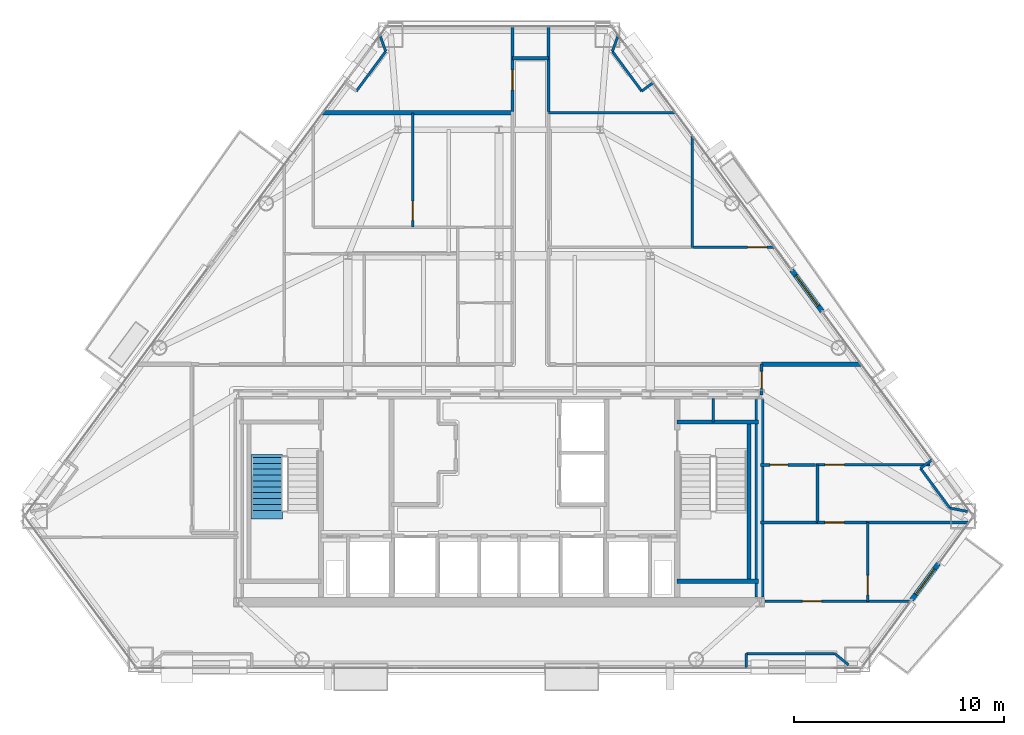
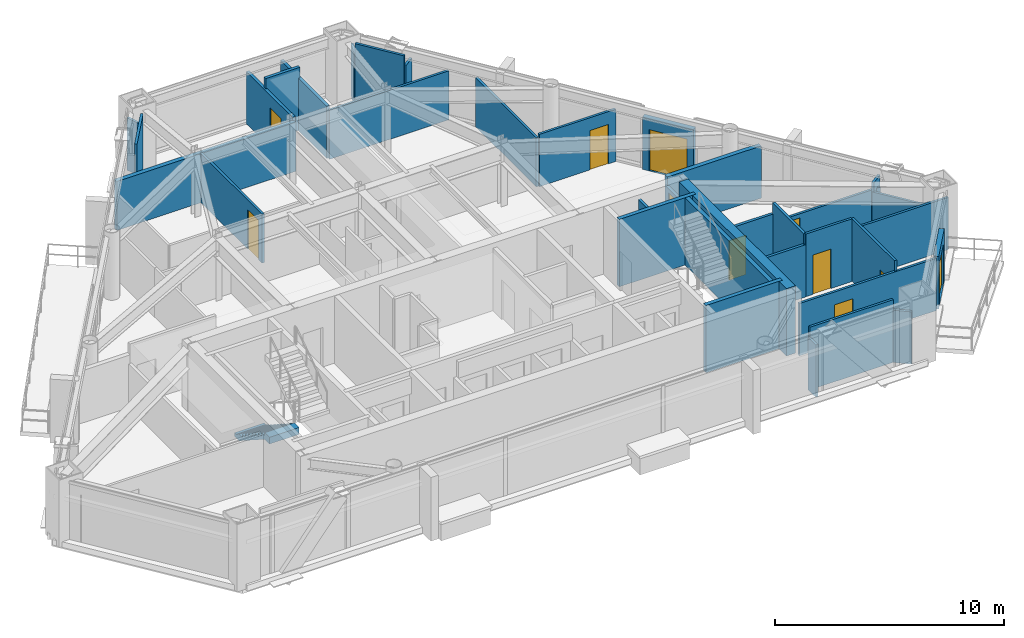
# One storey, part 10 of 13: 36 walls, 11 doors, 1 stair flight, 11 openings, 1 element without a shape of its own.
"""IFC4 building model written with IfcOpenShell, lengths in metres."""

from ifc_helpers import new_model, si_unit, direction, frame, frame_2d, origin, place, context, subcontext, project, spatial, polyline, rectangle, outline, extrude, material, layer, layer_set, type_object, element, fill, aggregate, save


model = new_model("IFC4")

# Units and contexts
model_context = context("Model", 3, precision=1e-05, world=origin(), true_north=direction((0.0, 1.0)))
body_context = subcontext(model_context, "Body", "Model", "MODEL_VIEW")
ifc_project = project(units=[si_unit("LENGTHUNIT", "METRE"), si_unit("AREAUNIT", "SQUARE_METRE"), si_unit("VOLUMEUNIT", "CUBIC_METRE"), si_unit("PLANEANGLEUNIT", "RADIAN"), si_unit("MASSUNIT", "GRAM", prefix="KILO")], contexts=[model_context])

# Site, building, storey
site_placement = place(None, origin())
site = spatial("IfcSite", under=ifc_project, at=site_placement, CompositionType="ELEMENT")
building_placement = place(site_placement, origin())
building = spatial("IfcBuilding", under=site, at=building_placement, Name="Talgorran Terracotta Tower", CompositionType="ELEMENT")
storey_placement = place(building_placement, frame((0.0, 0.0, 132.89990234375)))
storey = spatial("IfcBuildingStorey", under=building, at=storey_placement, Name="L34", CompositionType="ELEMENT", Elevation=132.89990234375)

# Wall, opening, door
ifc_material_1 = material(Name="Concrete C40/50", Category="concrete")
ifc_layer_1 = layer(ifc_material_1, 0.239990234375, Name="WT_BALCONY_SPAND")
ifc_layer_set_1 = layer_set([ifc_layer_1], Name="Concrete C40/50")
wall_type_1 = type_object("IfcWallType", Name="WT_BALCONY_SPAND", PredefinedType="STANDARD", material=ifc_layer_set_1)
wall_1_placement = place(storey_placement, frame((15.38427734375, -0.24560546875, -0.014892578125), z_axis=(0.0, 0.0, 1.0), x_axis=(-0.594317914364, 0.804230201289, 0.0)))
wall_1 = element("IfcWall", 1, at=wall_1_placement, inside=storey, type_object=wall_type_1, Name="WL-L34-BALP-BAL-NE", PredefinedType="STANDARD", context=body_context, shape_type="SweptSolid", body=[
    extrude(rectangle(XDim=2.440185546875, YDim=0.239990234375, at=frame_2d((1.22021484375, 0.0))), origin(), (0.0, 0.0, 1.0), 2.806884765625),
])
opening_1_placement = place(wall_1_placement, frame((0.320068359375, 0.0, 0.014892578125)))
opening_1 = element("IfcOpeningElement", 2, at=opening_1_placement, cuts=wall_1, Name="Opening D-BAL-L34-1", PredefinedType="OPENING", context=body_context, shape_type="SweptSolid", body=[
    extrude(rectangle(XDim=1.806048828125, YDim=2.203951171875, at=frame_2d((0.89990234375, 1.10205078125))), frame((0.0, 0.1298828125, 0.0), z_axis=(0.0, -1.0, 0.0), x_axis=(1.0, 0.0, 0.0)), (0.0, 0.0, 1.0), 0.260009765625),
])
ifc_material_2 = material(Name="Thermally Broken Aluminium", Category="aluminium")
door_type_1 = type_object("IfcDoorType", Name="DT_BALC_1800", OperationType="SLIDING_TO_LEFT", PredefinedType="DOOR", material=ifc_material_2)
door_1_placement = place(opening_1_placement, origin())
door_1 = element("IfcDoor", 3, at=door_1_placement, inside=storey, type_object=door_type_1, Name="DR-L34-BAL-BAL-NE", OperationType="SLIDING_TO_LEFT", OverallHeight=2.199951171875, OverallWidth=1.800048828125, PredefinedType="DOOR", context=body_context, shape_type="SweptSolid", body=[
    extrude(rectangle(XDim=1.800048828125, YDim=2.199951171875, at=frame_2d((0.89990234375, 1.10009765625))), frame((0.0, 0.02490234375, 0.0), z_axis=(0.0, -1.0, 0.0), x_axis=(1.0, 0.0, 0.0)), (0.0, 0.0, 1.0), 0.050048828125),
])
fill(opening_1, door_1)

wall_2_placement = place(storey_placement, frame((19.6533203125, -13.978759765625, -0.014892578125), z_axis=(0.0, 0.0, 1.0), x_axis=(0.594381437757, 0.804183254271, 0.0)))
wall_2 = element("IfcWall", 4, at=wall_2_placement, inside=storey, type_object=wall_type_1, Name="WL-L34-BALP-BAL-SE", PredefinedType="STANDARD", context=body_context, shape_type="SweptSolid", body=[
    extrude(rectangle(XDim=2.139892578125, YDim=0.239990234375, at=frame_2d((1.06982421875, 0.0))), origin(), (0.0, 0.0, 1.0), 2.806884765625),
])
opening_2_placement = place(wall_2_placement, frame((0.320068359375, 0.0, 0.014892578125)))
opening_2 = element("IfcOpeningElement", 5, at=opening_2_placement, cuts=wall_2, Name="Opening D-BAL-L34-3", PredefinedType="OPENING", context=body_context, shape_type="SweptSolid", body=[
    extrude(rectangle(XDim=1.506, YDim=2.203951171875, at=frame_2d((0.75, 1.10205078125))), frame((0.0, 0.1298828125, 0.0), z_axis=(0.0, -1.0, 0.0), x_axis=(1.0, 0.0, 0.0)), (0.0, 0.0, 1.0), 0.260009765625),
])
door_type_2 = type_object("IfcDoorType", Name="DT_BALC_1500", OperationType="SLIDING_TO_RIGHT", PredefinedType="DOOR", material=ifc_material_2)
door_2_placement = place(opening_2_placement, origin())
door_2 = element("IfcDoor", 6, at=door_2_placement, inside=storey, type_object=door_type_2, Name="DR-L34-BAL-BAL-SE", OperationType="SLIDING_TO_RIGHT", OverallHeight=2.199951171875, OverallWidth=1.5, PredefinedType="DOOR", context=body_context, shape_type="SweptSolid", body=[
    extrude(rectangle(XDim=1.5, YDim=2.199951171875, at=frame_2d((0.75, 1.10009765625))), frame((0.0, 0.02490234375, 0.0), z_axis=(0.0, -1.0, 0.0), x_axis=(1.0, 0.0, 0.0)), (0.0, 0.0, 1.0), 0.050048828125),
])
fill(opening_2, door_2)

# Walls
ifc_material_3 = material(Name="Concrete C50/60", Category="concrete")
ifc_layer_2 = layer(ifc_material_3, 0.199951171875, Name="WT_CORE_200")
ifc_layer_set_2 = layer_set([ifc_layer_2], Name="Concrete C50/60")
wall_type_2 = type_object("IfcWallType", Name="WT_CORE_200", PredefinedType="SOLIDWALL", material=ifc_layer_set_2)
for number, where, z_axis, x_axis, name in (
    (7, (8.47998046875, -5.52001953125, 0.0), (0.0, 0.0, 1.0), (1.0, 0.0, 0.0), "WL-L34-CW-ST2-N"),
    (8, (8.47998046875, -13.10009765625, 0.0), (0.0, 0.0, 1.0), (1.0, 0.0, 0.0), "WL-L34-CW-ST2-S"),
):
    element("IfcWall", number, at=place(storey_placement, frame(where, z_axis=z_axis, x_axis=x_axis)), inside=storey, type_object=wall_type_2, Name=name, PredefinedType="SOLIDWALL", context=body_context, shape_type="SweptSolid", body=[
        extrude(rectangle(XDim=3.8701171875, YDim=0.199951171875, at=frame_2d((1.93505859375, 0.0))), origin(), (0.0, 0.0, 1.0), 3.60009765625),
    ])
wall_3_placement = place(storey_placement, frame((11.89990234375, -13.10009765625, 0.0), z_axis=(0.0, 0.0, 1.0), x_axis=(0.0, 1.0, 0.0)))
element("IfcWall", 9, at=wall_3_placement, inside=storey, type_object=wall_type_2, Name="WL-L34-CW-ST2-E", PredefinedType="SOLIDWALL", context=body_context, shape_type="SweptSolid", body=[
    extrude(rectangle(XDim=7.580078125, YDim=0.199951171875, at=frame_2d((3.7900390625, 0.0))), origin(), (0.0, 0.0, 1.0), 3.60009765625),
])
ifc_material_4 = material(Name="Concrete C65/80", Category="concrete")
ifc_layer_3 = layer(ifc_material_4, 0.449951171875, Name="WT_CORE_EXT")
ifc_layer_set_3 = layer_set([ifc_layer_3], Name="Concrete C65/80")
wall_type_3 = type_object("IfcWallType", Name="WT_CORE_EXT", PredefinedType="SHEAR", material=ifc_layer_set_3)
wall_4_placement = place(storey_placement, frame((12.39990234375, -13.85009765625, 0.0), z_axis=(0.0, 0.0, 1.0), x_axis=(0.0, 1.0, 0.0)))
element("IfcWall", 10, at=wall_4_placement, inside=storey, type_object=wall_type_3, Name="WL-L34-CW-OUT-E", PredefinedType="SHEAR", context=body_context, shape_type="SweptSolid", body=[
    extrude(rectangle(XDim=9.400146484375, YDim=0.449951171875, at=frame_2d((4.7001953125, 0.0))), origin(), (0.0, 0.0, 1.0), 3.60009765625),
])

# Wall, opening, door
ifc_material_5 = material(Name="Fire-Rated Steel Stud Plasterboard", Category="steel")
ifc_layer_4 = layer(ifc_material_5, 0.14990234375, Name="WT_FIRE_150")
ifc_layer_set_4 = layer_set([ifc_layer_4], Name="Fire-Rated Steel Stud Plasterboard")
wall_type_4 = type_object("IfcWallType", Name="WT_FIRE_150", PredefinedType="PARTITIONING", material=ifc_layer_set_4)
wall_5_placement = place(storey_placement, frame((0.639892578125, 9.261962890625, 0.0), z_axis=(0.0, 0.0, 1.0), x_axis=(0.0, 1.0, 0.0)))
wall_5 = element("IfcWall", 11, at=wall_5_placement, inside=storey, type_object=wall_type_4, Name="WL-L34-W-L34-R14", PredefinedType="PARTITIONING", context=body_context, shape_type="SweptSolid", body=[
    extrude(rectangle(XDim=4.051513671875, YDim=0.14990234375, at=frame_2d((2.02587890625, 0.0))), origin(), (0.0, 0.0, 1.0), 2.7919921875),
])
opening_3_placement = place(wall_5_placement, frame((1.031005859375, 0.0, 0.0)))
opening_3 = element("IfcOpeningElement", 12, at=opening_3_placement, cuts=wall_5, Name="Opening DR-L34-R18", PredefinedType="OPENING", context=body_context, shape_type="SweptSolid", body=[
    extrude(rectangle(XDim=0.955951171875, YDim=2.10409765625, at=frame_2d((0.47509765625, 1.052001953125))), frame((0.0, 0.0849609375, 0.0), z_axis=(0.0, -1.0, 0.0), x_axis=(1.0, 0.0, 0.0)), (0.0, 0.0, 1.0), 0.169921875),
])
ifc_material_6 = material(Name="Fire-Rated Timber Core", Category="wood")
door_type_3 = type_object("IfcDoorType", Name="DT_FIRE_950", OperationType="NOTDEFINED", PredefinedType="DOOR", material=ifc_material_6)
door_3_placement = place(opening_3_placement, origin())
door_3 = element("IfcDoor", 13, at=door_3_placement, inside=storey, type_object=door_type_3, Name="DR-L34-R18", OperationType="SINGLE_SWING_RIGHT", OverallHeight=2.10009765625, OverallWidth=0.949951171875, PredefinedType="DOOR", context=body_context, shape_type="SweptSolid", body=[
    extrude(rectangle(XDim=0.949951171875, YDim=2.10009765625, at=frame_2d((0.47509765625, 1.050048828125))), frame((0.0, 0.02490234375, 0.0), z_axis=(0.0, -1.0, 0.0), x_axis=(1.0, 0.0, 0.0)), (0.0, 0.0, 1.0), 0.050048828125),
])
fill(opening_3, door_3)

# Walls
wall_6_placement = place(storey_placement, frame((2.360107421875, 9.261962890625, 0.0), z_axis=(0.0, 0.0, 1.0), x_axis=(0.0, 1.0, 0.0)))
element("IfcWall", 14, at=wall_6_placement, inside=storey, type_object=wall_type_4, Name="WL-L34-W-L34-R16", PredefinedType="PARTITIONING", context=body_context, shape_type="SweptSolid", body=[
    extrude(rectangle(XDim=4.051513671875, YDim=0.14990234375, at=frame_2d((2.02587890625, 0.0))), origin(), (0.0, 0.0, 1.0), 2.7919921875),
])
wall_7_placement = place(storey_placement, frame((0.639892578125, 11.800048828125, 0.0), z_axis=(0.0, 0.0, 1.0), x_axis=(1.0, 0.0, 0.0)))
element("IfcWall", 15, at=wall_7_placement, inside=storey, type_object=wall_type_4, Name="WL-L34-W-L34-R15", PredefinedType="PARTITIONING", context=body_context, shape_type="SweptSolid", body=[
    extrude(rectangle(XDim=1.72021484375, YDim=0.14990234375, at=frame_2d((0.860107421875, 0.0))), origin(), (0.0, 0.0, 1.0), 3.35009765625),
])

# Wall, opening, door
wall_8_placement = place(storey_placement, frame((12.5, -4.239990234375, 0.0), z_axis=(0.0, 0.0, 1.0), x_axis=(0.0, 1.0, 0.0)))
wall_8 = element("IfcWall", 16, at=wall_8_placement, inside=storey, type_object=wall_type_4, Name="WL-L34-W-L34-R03", PredefinedType="PARTITIONING", context=body_context, shape_type="SweptSolid", body=[
    extrude(rectangle(XDim=1.47998046875, YDim=0.14990234375, at=frame_2d((0.739990234375, 0.0))), origin(), (0.0, 0.0, 1.0), 2.3251953125),
])
opening_4_placement = place(wall_8_placement, frame((0.31494140625, 0.0, 0.0)))
opening_4 = element("IfcOpeningElement", 17, at=opening_4_placement, cuts=wall_8, Name="Opening DR-L34-R03", PredefinedType="OPENING", context=body_context, shape_type="SweptSolid", body=[
    extrude(rectangle(XDim=0.826068359375, YDim=2.10409765625, at=frame_2d((0.41015625, 1.052001953125))), frame((0.0, 0.0849609375, 0.0), z_axis=(0.0, -1.0, 0.0), x_axis=(1.0, 0.0, 0.0)), (0.0, 0.0, 1.0), 0.169921875),
])
ifc_material_7 = material(Name="Moisture-Resistant Solid Timber", Category="wood")
door_type_4 = type_object("IfcDoorType", Name="DT_INT_820", OperationType="NOTDEFINED", PredefinedType="DOOR", material=ifc_material_7)
door_4_placement = place(opening_4_placement, origin())
door_4 = element("IfcDoor", 18, at=door_4_placement, inside=storey, type_object=door_type_4, Name="DR-L34-R03", OperationType="SINGLE_SWING_LEFT", OverallHeight=2.10009765625, OverallWidth=0.820068359375, PredefinedType="DOOR", context=body_context, shape_type="SweptSolid", body=[
    extrude(rectangle(XDim=0.820068359375, YDim=2.10009765625, at=frame_2d((0.41015625, 1.050048828125))), frame((0.0, 0.02490234375, 0.0), z_axis=(0.0, -1.0, 0.0), x_axis=(1.0, 0.0, 0.0)), (0.0, 0.0, 1.0), 0.050048828125),
])
fill(opening_4, door_4)

# Walls
ifc_material_8 = material(Name="Acoustic Masonry and Plasterboard", Category="masonry")
ifc_layer_5 = layer(ifc_material_8, 0.219970703125, Name="WT_PARTY_220")
ifc_layer_set_5 = layer_set([ifc_layer_5], Name="Acoustic Masonry and Plasterboard")
wall_type_5 = type_object("IfcWallType", Name="WT_PARTY_220", PredefinedType="PARTITIONING", material=ifc_layer_set_5)
wall_9_placement = place(storey_placement, frame((12.5, -2.760009765625, 0.0), z_axis=(0.0, 0.0, 1.0), x_axis=(1.0, 0.0, 0.0)))
element("IfcWall", 19, at=wall_9_placement, inside=storey, type_object=wall_type_5, Name="WL-L34-W-L34-R21", PredefinedType="PARTITIONING", context=body_context, shape_type="SweptSolid", body=[
    extrude(rectangle(XDim=4.74267578125, YDim=0.219970703125, at=frame_2d((2.371337890625, 0.0))), origin(), (0.0, 0.0, 1.0), 2.7919921875),
])
wall_10_placement = place(storey_placement, frame((-8.403564453125, 9.199951171875, 0.0), z_axis=(0.0, 0.0, 1.0), x_axis=(1.0, 0.0, 0.0)))
element("IfcWall", 20, at=wall_10_placement, inside=storey, type_object=wall_type_5, Name="WL-L34-W-L34-R43", PredefinedType="PARTITIONING", context=body_context, shape_type="SweptSolid", body=[
    extrude(rectangle(XDim=9.04345703125, YDim=0.219970703125, at=frame_2d((4.521728515625, 0.0))), origin(), (0.0, 0.0, 1.0), 2.6171875),
])
ifc_material_9 = material(Name="Insulated Steel Stud Plasterboard", Category="steel")
ifc_layer_6 = layer(ifc_material_9, 0.1201171875, Name="WT_PART_120")
ifc_layer_set_6 = layer_set([ifc_layer_6], Name="Insulated Steel Stud Plasterboard")
wall_type_6 = type_object("IfcWallType", Name="WT_PART_120", PredefinedType="PARTITIONING", material=ifc_layer_set_6)
wall_11_placement = place(storey_placement, frame((10.199951171875, -5.52001953125, 0.0), z_axis=(0.0, 0.0, 1.0), x_axis=(0.0, 1.0, 0.0)))
element("IfcWall", 21, at=wall_11_placement, inside=storey, type_object=wall_type_6, Name="WL-L34-CW-CSE-DIV", PredefinedType="PARTITIONING", context=body_context, shape_type="SweptSolid", body=[
    extrude(rectangle(XDim=1.1201171875, YDim=0.1201171875, at=frame_2d((0.56005859375, 0.0))), origin(), (0.0, 0.0, 1.0), 3.35009765625),
])

# Wall, opening, door
wall_12_placement = place(storey_placement, frame((12.659912109375, -14.06005859375, 0.0), z_axis=(0.0, 0.0, 1.0), x_axis=(1.0, 0.0, 0.0)))
wall_12 = element("IfcWall", 22, at=wall_12_placement, inside=storey, type_object=wall_type_6, Name="WL-L34-W-L34-R26", PredefinedType="PARTITIONING", context=body_context, shape_type="SweptSolid", body=[
    extrude(rectangle(XDim=6.933349609375, YDim=0.1201171875, at=frame_2d((3.466796875, 0.0))), origin(), (0.0, 0.0, 1.0), 2.7919921875),
])
opening_5_placement = place(wall_12_placement, frame((1.780029296875, 0.0, 0.0)))
opening_5 = element("IfcOpeningElement", 23, at=opening_5_placement, cuts=wall_12, Name="Opening DR-L34-R06", PredefinedType="OPENING", context=body_context, shape_type="SweptSolid", body=[
    extrude(rectangle(XDim=0.925921875, YDim=2.10409765625, at=frame_2d((0.4599609375, 1.052001953125))), frame((0.0, 0.070068359375, 0.0), z_axis=(0.0, -1.0, 0.0), x_axis=(1.0, 0.0, 0.0)), (0.0, 0.0, 1.0), 0.14013671875),
])
ifc_material_10 = material(Name="Solid-Core Painted Timber", Category="wood")
door_type_5 = type_object("IfcDoorType", Name="DT_INT_920", OperationType="NOTDEFINED", PredefinedType="DOOR", material=ifc_material_10)
door_5_placement = place(opening_5_placement, origin())
door_5 = element("IfcDoor", 24, at=door_5_placement, inside=storey, type_object=door_type_5, Name="DR-L34-R06", OperationType="SINGLE_SWING_RIGHT", OverallHeight=2.10009765625, OverallWidth=0.919921875, PredefinedType="DOOR", context=body_context, shape_type="SweptSolid", body=[
    extrude(rectangle(XDim=0.919921875, YDim=2.10009765625, at=frame_2d((0.4599609375, 1.050048828125))), frame((0.0, 0.02490234375, 0.0), z_axis=(0.0, -1.0, 0.0), x_axis=(1.0, 0.0, 0.0)), (0.0, 0.0, 1.0), 0.050048828125),
])
fill(opening_5, door_5)

# Wall
wall_13_placement = place(storey_placement, frame((2.360107421875, 9.199951171875, 0.0), z_axis=(0.0, 0.0, 1.0), x_axis=(1.0, 0.0, 0.0)))
element("IfcWall", 25, at=wall_13_placement, inside=storey, type_object=wall_type_6, Name="WL-L34-W-L34-R47", PredefinedType="PARTITIONING", context=body_context, shape_type="SweptSolid", body=[
    extrude(rectangle(XDim=6.04345703125, YDim=0.1201171875, at=frame_2d((3.021728515625, 0.0))), origin(), (0.0, 0.0, 1.0), 2.6171875),
])

# Wall, opening, door
wall_14_placement = place(storey_placement, frame((15.080078125, -7.56005859375, 0.0), z_axis=(0.0, 0.0, 1.0), x_axis=(1.0, 0.0, 0.0)))
wall_14 = element("IfcWall", 26, at=wall_14_placement, inside=storey, type_object=wall_type_6, Name="WL-L34-W-L34-R20", PredefinedType="PARTITIONING", context=body_context, shape_type="SweptSolid", body=[
    extrude(rectangle(XDim=5.43994140625, YDim=0.1201171875, at=frame_2d((2.719970703125, 0.0))), origin(), (0.0, 0.0, 1.0), 2.3251953125),
])
opening_6_placement = place(wall_14_placement, frame((0.4384765625, 0.0, 0.0)))
opening_6 = element("IfcOpeningElement", 27, at=opening_6_placement, cuts=wall_14, Name="Opening DR-L34-R05", PredefinedType="OPENING", context=body_context, shape_type="SweptSolid", body=[
    extrude(rectangle(XDim=0.925921875, YDim=2.10409765625, at=frame_2d((0.4599609375, 1.052001953125))), frame((0.0, 0.070068359375, 0.0), z_axis=(0.0, -1.0, 0.0), x_axis=(1.0, 0.0, 0.0)), (0.0, 0.0, 1.0), 0.14013671875),
])
door_6_placement = place(opening_6_placement, origin())
door_6 = element("IfcDoor", 28, at=door_6_placement, inside=storey, type_object=door_type_5, Name="DR-L34-R05", OperationType="SINGLE_SWING_LEFT", OverallHeight=2.10009765625, OverallWidth=0.919921875, PredefinedType="DOOR", context=body_context, shape_type="SweptSolid", body=[
    extrude(rectangle(XDim=0.919921875, YDim=2.10009765625, at=frame_2d((0.4599609375, 1.050048828125))), frame((0.0, 0.02490234375, 0.0), z_axis=(0.0, -1.0, 0.0), x_axis=(1.0, 0.0, 0.0)), (0.0, 0.0, 1.0), 0.050048828125),
])
fill(opening_6, door_6)

wall_15_placement = place(storey_placement, frame((-4.10009765625, 3.760009765625, 0.0), z_axis=(0.0, 0.0, 1.0), x_axis=(0.0, 1.0, 0.0)))
wall_15 = element("IfcWall", 29, at=wall_15_placement, inside=storey, type_object=wall_type_6, Name="WL-L34-W-L34-R41", PredefinedType="PARTITIONING", context=body_context, shape_type="SweptSolid", body=[
    extrude(rectangle(XDim=5.43994140625, YDim=0.1201171875, at=frame_2d((2.719970703125, 0.0))), origin(), (0.0, 0.0, 1.0), 2.6171875),
])
opening_7_placement = place(wall_15_placement, frame((0.320068359375, 0.0, 0.0)))
opening_7 = element("IfcOpeningElement", 30, at=opening_7_placement, cuts=wall_15, Name="Opening DR-L34-R14", PredefinedType="OPENING", context=body_context, shape_type="SweptSolid", body=[
    extrude(rectangle(XDim=0.925921875, YDim=2.10409765625, at=frame_2d((0.4599609375, 1.052001953125))), frame((0.0, 0.070068359375, 0.0), z_axis=(0.0, -1.0, 0.0), x_axis=(1.0, 0.0, 0.0)), (0.0, 0.0, 1.0), 0.14013671875),
])
door_7_placement = place(opening_7_placement, origin())
door_7 = element("IfcDoor", 31, at=door_7_placement, inside=storey, type_object=door_type_5, Name="DR-L34-R14", OperationType="SINGLE_SWING_RIGHT", OverallHeight=2.10009765625, OverallWidth=0.919921875, PredefinedType="DOOR", context=body_context, shape_type="SweptSolid", body=[
    extrude(rectangle(XDim=0.919921875, YDim=2.10009765625, at=frame_2d((0.4599609375, 1.050048828125))), frame((0.0, 0.02490234375, 0.0), z_axis=(0.0, -1.0, 0.0), x_axis=(1.0, 0.0, 0.0)), (0.0, 0.0, 1.0), 0.050048828125),
])
fill(opening_7, door_7)

# Walls
wall_16_placement = place(storey_placement, frame((9.199951171875, 2.800048828125, 0.0), z_axis=(0.0, 0.0, 1.0), x_axis=(0.0, 1.0, 0.0)))
element("IfcWall", 32, at=wall_16_placement, inside=storey, type_object=wall_type_6, Name="WL-L34-W-L34-R46", PredefinedType="PARTITIONING", context=body_context, shape_type="SweptSolid", body=[
    extrude(rectangle(XDim=5.322265625, YDim=0.1201171875, at=frame_2d((2.6611328125, 0.0))), origin(), (0.0, 0.0, 1.0), 2.6171875),
])
wall_17_placement = place(storey_placement, frame((17.5, -10.300048828125, 0.0), z_axis=(0.0, 0.0, 1.0), x_axis=(1.0, 0.0, 0.0)))
element("IfcWall", 33, at=wall_17_placement, inside=storey, type_object=wall_type_6, Name="WL-L34-W-L34-R25", PredefinedType="PARTITIONING", context=body_context, shape_type="SweptSolid", body=[
    extrude(rectangle(XDim=4.8720703125, YDim=0.1201171875, at=frame_2d((2.43603515625, 0.0))), origin(), (0.0, 0.0, 1.0), 2.7919921875),
])
wall_18_placement = place(storey_placement, frame((11.771484375, -16.538818359375, 0.0), z_axis=(0.0, 0.0, 1.0), x_axis=(1.0, 0.0, 0.0)))
element("IfcWall", 34, at=wall_18_placement, inside=storey, type_object=wall_type_6, Name="WL-L34-BW-L34-06", PredefinedType="PARTITIONING", context=body_context, shape_type="SweptSolid", body=[
    extrude(rectangle(XDim=4.210693359375, YDim=0.1201171875, at=frame_2d((2.10546875, 0.0))), origin(), (0.0, 0.0, 1.0), 3.35009765625),
])

# Wall, opening, door
wall_19_placement = place(storey_placement, frame((9.261962890625, 2.800048828125, 0.0), z_axis=(0.0, 0.0, 1.0), x_axis=(1.0, 0.0, 0.0)))
wall_19 = element("IfcWall", 35, at=wall_19_placement, inside=storey, type_object=wall_type_6, Name="WL-L34-W-L34-R45", PredefinedType="PARTITIONING", context=body_context, shape_type="SweptSolid", body=[
    extrude(rectangle(XDim=3.87158203125, YDim=0.1201171875, at=frame_2d((1.935791015625, 0.0))), origin(), (0.0, 0.0, 1.0), 2.7919921875),
])
opening_8_placement = place(wall_19_placement, frame((2.57421875, 0.0, 0.0)))
opening_8 = element("IfcOpeningElement", 36, at=opening_8_placement, cuts=wall_19, Name="Opening DR-L34-R17", PredefinedType="OPENING", context=body_context, shape_type="SweptSolid", body=[
    extrude(rectangle(XDim=0.925921875, YDim=2.10409765625, at=frame_2d((0.4599609375, 1.052001953125))), frame((0.0, 0.070068359375, 0.0), z_axis=(0.0, -1.0, 0.0), x_axis=(1.0, 0.0, 0.0)), (0.0, 0.0, 1.0), 0.14013671875),
])
door_8_placement = place(opening_8_placement, origin())
door_8 = element("IfcDoor", 37, at=door_8_placement, inside=storey, type_object=door_type_5, Name="DR-L34-R17", OperationType="SINGLE_SWING_LEFT", OverallHeight=2.10009765625, OverallWidth=0.919921875, PredefinedType="DOOR", context=body_context, shape_type="SweptSolid", body=[
    extrude(rectangle(XDim=0.919921875, YDim=2.10009765625, at=frame_2d((0.4599609375, 1.050048828125))), frame((0.0, 0.02490234375, 0.0), z_axis=(0.0, -1.0, 0.0), x_axis=(1.0, 0.0, 0.0)), (0.0, 0.0, 1.0), 0.050048828125),
])
fill(opening_8, door_8)

wall_20_placement = place(storey_placement, frame((17.56005859375, -14.06005859375, 0.0), z_axis=(0.0, 0.0, 1.0), x_axis=(0.0, 1.0, 0.0)))
wall_20 = element("IfcWall", 38, at=wall_20_placement, inside=storey, type_object=wall_type_6, Name="WL-L34-W-L34-R27", PredefinedType="PARTITIONING", context=body_context, shape_type="SweptSolid", body=[
    extrude(rectangle(XDim=3.760009765625, YDim=0.1201171875, at=frame_2d((1.8798828125, 0.0))), origin(), (0.0, 0.0, 1.0), 3.35009765625),
])
opening_9_placement = place(wall_20_placement, frame((0.320068359375, 0.0, 0.0)))
opening_9 = element("IfcOpeningElement", 39, at=opening_9_placement, cuts=wall_20, Name="Opening DR-L34-R07", PredefinedType="OPENING", context=body_context, shape_type="SweptSolid", body=[
    extrude(rectangle(XDim=0.925921875, YDim=2.10409765625, at=frame_2d((0.4599609375, 1.052001953125))), frame((0.0, 0.070068359375, 0.0), z_axis=(0.0, -1.0, 0.0), x_axis=(1.0, 0.0, 0.0)), (0.0, 0.0, 1.0), 0.14013671875),
])
door_9_placement = place(opening_9_placement, origin())
door_9 = element("IfcDoor", 40, at=door_9_placement, inside=storey, type_object=door_type_5, Name="DR-L34-R07", OperationType="SINGLE_SWING_LEFT", OverallHeight=2.10009765625, OverallWidth=0.919921875, PredefinedType="DOOR", context=body_context, shape_type="SweptSolid", body=[
    extrude(rectangle(XDim=0.919921875, YDim=2.10009765625, at=frame_2d((0.4599609375, 1.050048828125))), frame((0.0, 0.02490234375, 0.0), z_axis=(0.0, -1.0, 0.0), x_axis=(1.0, 0.0, 0.0)), (0.0, 0.0, 1.0), 0.050048828125),
])
fill(opening_9, door_9)

wall_21_placement = place(storey_placement, frame((15.159912109375, -10.300048828125, 0.0), z_axis=(0.0, 0.0, 1.0), x_axis=(1.0, 0.0, 0.0)))
wall_21 = element("IfcWall", 41, at=wall_21_placement, inside=storey, type_object=wall_type_6, Name="WL-L34-W-L34-R24", PredefinedType="PARTITIONING", context=body_context, shape_type="SweptSolid", body=[
    extrude(rectangle(XDim=2.338134765625, YDim=0.1201171875, at=frame_2d((1.1689453125, 0.0))), origin(), (0.0, 0.0, 1.0), 3.35009765625),
])
opening_10_placement = place(wall_21_placement, frame((0.3564453125, 0.0, 0.0)))
opening_10 = element("IfcOpeningElement", 42, at=opening_10_placement, cuts=wall_21, Name="Opening DR-L34-R19", PredefinedType="OPENING", context=body_context, shape_type="SweptSolid", body=[
    extrude(rectangle(XDim=0.925921875, YDim=2.10409765625, at=frame_2d((0.4599609375, 1.052001953125))), frame((0.0, 0.070068359375, 0.0), z_axis=(0.0, -1.0, 0.0), x_axis=(1.0, 0.0, 0.0)), (0.0, 0.0, 1.0), 0.14013671875),
])
door_10_placement = place(opening_10_placement, origin())
door_10 = element("IfcDoor", 43, at=door_10_placement, inside=storey, type_object=door_type_5, Name="DR-L34-R19", OperationType="SINGLE_SWING_LEFT", OverallHeight=2.10009765625, OverallWidth=0.919921875, PredefinedType="DOOR", context=body_context, shape_type="SweptSolid", body=[
    extrude(rectangle(XDim=0.919921875, YDim=2.10009765625, at=frame_2d((0.4599609375, 1.050048828125))), frame((0.0, 0.02490234375, 0.0), z_axis=(0.0, -1.0, 0.0), x_axis=(1.0, 0.0, 0.0)), (0.0, 0.0, 1.0), 0.050048828125),
])
fill(opening_10, door_10)

# Walls
wall_22_placement = place(storey_placement, frame((21.463623046875, -9.615234375, 0.0), z_axis=(0.0, 0.0, 1.0), x_axis=(-0.594385220585, 0.804180458324, 0.0)))
element("IfcWall", 44, at=wall_22_placement, inside=storey, type_object=wall_type_6, Name="WL-L34-BW-L34-12", PredefinedType="PARTITIONING", context=body_context, shape_type="SweptSolid", body=[
    extrude(rectangle(XDim=2.3505859375, YDim=0.1201171875, at=frame_2d((1.17529296875, 0.0))), origin(), (0.0, 0.0, 1.0), 2.3251953125),
])
for number, where, z_axis, x_axis, name in (
    (45, (-5.39404296875, 12.127685546875, 0.0), (0.0, 0.0, 1.0), (-0.594452380644, -0.804130814698, 0.0), "WL-L34-BW-L34-14"),
    (46, (6.79150390625, 10.2373046875, 0.0), (0.0, 0.0, 1.0), (-0.594452380644, 0.804130814698, 0.0), "WL-L34-BW-L34-17"),
):
    element("IfcWall", number, at=place(storey_placement, frame(where, z_axis=z_axis, x_axis=x_axis)), inside=storey, type_object=wall_type_6, Name=name, PredefinedType="PARTITIONING", context=body_context, shape_type="SweptSolid", body=[
        extrude(rectangle(XDim=2.350830078125, YDim=0.1201171875, at=frame_2d((1.17529296875, 0.0))), origin(), (0.0, 0.0, 1.0), 3.35009765625),
    ])
wall_23_placement = place(storey_placement, frame((15.982177734375, -16.538818359375, 0.0), z_axis=(0.0, 0.0, 1.0), x_axis=(0.77301214671, -0.634391220809, 0.0)))
element("IfcWall", 47, at=wall_23_placement, inside=storey, type_object=wall_type_6, Name="WL-L34-BW-L34-04", PredefinedType="PARTITIONING", context=body_context, shape_type="SweptSolid", body=[
    extrude(rectangle(XDim=0.8525390625, YDim=0.1201171875, at=frame_2d((0.42626953125, 0.0))), origin(), (0.0, 0.0, 1.0), 2.7919921875),
])
wall_24_placement = place(storey_placement, frame((22.299560546875, -9.77294921875, 0.0), z_axis=(0.0, 0.0, 1.0), x_axis=(-0.982663626831, 0.185397401557, 0.0)))
element("IfcWall", 48, at=wall_24_placement, inside=storey, type_object=wall_type_6, Name="WL-L34-BW-L34-11", PredefinedType="PARTITIONING", context=body_context, shape_type="SweptSolid", body=[
    extrude(rectangle(XDim=0.8505859375, YDim=0.1201171875, at=frame_2d((0.42529296875, 0.0))), origin(), (0.0, 0.0, 1.0), 2.3251953125),
])
for number, where, z_axis, x_axis, name in (
    (49, (-5.667724609375, 12.884765625, 0.0), (0.0, 0.0, 1.0), (0.339964895184, -0.940438126642, 0.0), "WL-L34-BW-L34-13"),
    (50, (5.39404296875, 12.127685546875, 0.0), (0.0, 0.0, 1.0), (0.339964895184, 0.940438126642, 0.0), "WL-L34-BW-L34-18"),
):
    element("IfcWall", number, at=place(storey_placement, frame(where, z_axis=z_axis, x_axis=x_axis)), inside=storey, type_object=wall_type_6, Name=name, PredefinedType="PARTITIONING", context=body_context, shape_type="SweptSolid", body=[
        extrude(rectangle(XDim=0.804931640625, YDim=0.1201171875, at=frame_2d((0.40234375, 0.0))), origin(), (0.0, 0.0, 1.0), 2.7919921875),
    ])
for number, where, z_axis, x_axis, name in (
    (51, (20.06640625, -7.724853515625, 0.0), (0.0, 0.0, 1.0), (0.804047409182, 0.594565188847, 0.0), "WL-L34-BW-L34-10"),
    (52, (11.771484375, -17.208984375, 0.0), (0.0, 0.0, 1.0), (0.0, 1.0, 0.0), "WL-L34-BW-L34-05"),
):
    element("IfcWall", number, at=place(storey_placement, frame(where, z_axis=z_axis, x_axis=x_axis)), inside=storey, type_object=wall_type_6, Name=name, PredefinedType="PARTITIONING", context=body_context, shape_type="SweptSolid", body=[
        extrude(rectangle(XDim=0.670166015625, YDim=0.1201171875, at=frame_2d((0.3349609375, 0.0))), origin(), (0.0, 0.0, 1.0), 2.7919921875),
    ])
wall_25_placement = place(storey_placement, frame((7.330078125, 10.635498046875, 0.0), z_axis=(0.0, 0.0, 1.0), x_axis=(-0.804092805945, -0.59450379261, 0.0)))
element("IfcWall", 53, at=wall_25_placement, inside=storey, type_object=wall_type_6, Name="WL-L34-BW-L34-16", PredefinedType="PARTITIONING", context=body_context, shape_type="SweptSolid", body=[
    extrude(rectangle(XDim=0.669677734375, YDim=0.1201171875, at=frame_2d((0.3349609375, 0.0))), origin(), (0.0, 0.0, 1.0), 2.7919921875),
])

# Wall, opening, door
ifc_material_11 = material(Name="Moisture-Resistant Stud Wall")
ifc_layer_7 = layer(ifc_material_11, 0.135009765625, Name="WT_PART_135")
ifc_layer_set_7 = layer_set([ifc_layer_7], Name="Moisture-Resistant Stud Wall")
wall_type_7 = type_object("IfcWallType", Name="WT_PART_135", PredefinedType="PARTITIONING", material=ifc_layer_set_7)
wall_26_placement = place(storey_placement, frame((12.43994140625, -7.56005859375, 0.0), z_axis=(0.0, 0.0, 1.0), x_axis=(1.0, 0.0, 0.0)))
wall_26 = element("IfcWall", 54, at=wall_26_placement, inside=storey, type_object=wall_type_7, Name="WL-L34-W-L34-R19", PredefinedType="PARTITIONING", context=body_context, shape_type="SweptSolid", body=[
    extrude(rectangle(XDim=2.637939453125, YDim=0.135009765625, at=frame_2d((1.31884765625, 0.0))), origin(), (0.0, 0.0, 1.0), 2.7919921875),
])
opening_11_placement = place(wall_26_placement, frame((0.458251953125, 0.0, 0.0)))
opening_11 = element("IfcOpeningElement", 55, at=opening_11_placement, cuts=wall_26, Name="Opening DR-L34-R04", PredefinedType="OPENING", context=body_context, shape_type="SweptSolid", body=[
    extrude(rectangle(XDim=0.85609765625, YDim=2.10409765625, at=frame_2d((0.425048828125, 1.052001953125))), frame((0.0, 0.07763671875, 0.0), z_axis=(0.0, -1.0, 0.0), x_axis=(1.0, 0.0, 0.0)), (0.0, 0.0, 1.0), 0.155029296875),
])
door_type_6 = type_object("IfcDoorType", Name="DT_INT_850", OperationType="NOTDEFINED", PredefinedType="DOOR", material=ifc_material_7)
door_11_placement = place(opening_11_placement, origin())
door_11 = element("IfcDoor", 56, at=door_11_placement, inside=storey, type_object=door_type_6, Name="DR-L34-R04", OperationType="SINGLE_SWING_RIGHT", OverallHeight=2.10009765625, OverallWidth=0.85009765625, PredefinedType="DOOR", context=body_context, shape_type="SweptSolid", body=[
    extrude(rectangle(XDim=0.85009765625, YDim=2.10009765625, at=frame_2d((0.425048828125, 1.050048828125))), frame((0.0, 0.02490234375, 0.0), z_axis=(0.0, -1.0, 0.0), x_axis=(1.0, 0.0, 0.0)), (0.0, 0.0, 1.0), 0.050048828125),
])
fill(opening_11, door_11)

# Walls
wall_27_placement = place(storey_placement, frame((15.159912109375, -10.300048828125, 0.0), z_axis=(0.0, 0.0, 1.0), x_axis=(0.0, 1.0, 0.0)))
element("IfcWall", 57, at=wall_27_placement, inside=storey, type_object=wall_type_7, Name="WL-L34-W-L34-R22", PredefinedType="PARTITIONING", context=body_context, shape_type="SweptSolid", body=[
    extrude(rectangle(XDim=2.739990234375, YDim=0.135009765625, at=frame_2d((1.3701171875, 0.0))), origin(), (0.0, 0.0, 1.0), 3.35009765625),
])
wall_28_placement = place(storey_placement, frame((12.43994140625, -10.300048828125, 0.0), z_axis=(0.0, 0.0, 1.0), x_axis=(1.0, 0.0, 0.0)))
element("IfcWall", 58, at=wall_28_placement, inside=storey, type_object=wall_type_7, Name="WL-L34-W-L34-R23", PredefinedType="PARTITIONING", context=body_context, shape_type="SweptSolid", body=[
    extrude(rectangle(XDim=2.719970703125, YDim=0.135009765625, at=frame_2d((1.35986328125, 0.0))), origin(), (0.0, 0.0, 1.0), 2.7919921875),
])

# Stair, stair flight
stair_type = type_object("IfcStairType", Name="ST_FIRE_SCISSOR", PredefinedType="HALF_TURN_STAIR", material=ifc_material_1)
stair_placement = place(storey_placement, origin())
stair = element("IfcStair", 59, at=stair_placement, inside=storey, type_object=stair_type, Name="L34 West Protected Fire Stair ST-01", PredefinedType="HALF_TURN_STAIR")
ifc_layer_8 = layer(ifc_material_1, 0.179931640625, Name="STF_RC_1500")
ifc_layer_set_8 = layer_set([ifc_layer_8], Name="Concrete C40/50")
stair_flight_type = type_object("IfcStairFlightType", Name="STF_RC_1500", PredefinedType="STRAIGHT", material=ifc_layer_set_8)
stair_flight_placement = place(storey_placement, frame((-11.050048828125, -7.199951171875, 0.0), z_axis=(0.0, 0.0, 1.0), x_axis=(0.0, -1.0, 0.0)))
stair_flight = element("IfcStairFlight", 60, at=stair_flight_placement, type_object=stair_flight_type, Name="ST-01 flight 1", NumberOfRisers=10, NumberOfTreads=9, PredefinedType="STRAIGHT", RiserHeight=0.18, TreadLength=0.28, context=body_context, shape_type="SweptSolid", body=[
    extrude(outline(polyline([(-0.139892578125, 0.0), (-0.139892578125, 0.179931640625), (0.0, 0.179931640625), (0.280029296875, 0.360107421875), (0.56005859375, 0.360107421875), (0.56005859375, 0.5400390625), (0.840087890625, 0.5400390625), (0.840087890625, 0.719970703125), (1.1201171875, 0.719970703125), (1.1201171875, 0.89990234375), (1.39990234375, 0.89990234375), (1.39990234375, 1.080078125), (1.679931640625, 1.080078125), (1.679931640625, 1.260009765625), (1.9599609375, 1.260009765625), (1.9599609375, 1.43994140625), (2.239990234375, 1.43994140625), (2.239990234375, 1.6201171875), (2.52001953125, 1.6201171875), (2.52001953125, 1.800048828125), (2.93994140625, 1.800048828125), (2.93994140625, 1.44189453125), (2.52001953125, 1.44189453125), (0.277099609375, 0.0), (-0.139892578125, 0.0)])), frame((0.0, 0.75, 0.0), z_axis=(0.0, -1.0, 0.0), x_axis=(1.0, 0.0, 0.0)), (0.0, 0.0, 1.0), 1.5),
])
aggregate(stair, [stair_flight])

save(model, "model.ifc")
